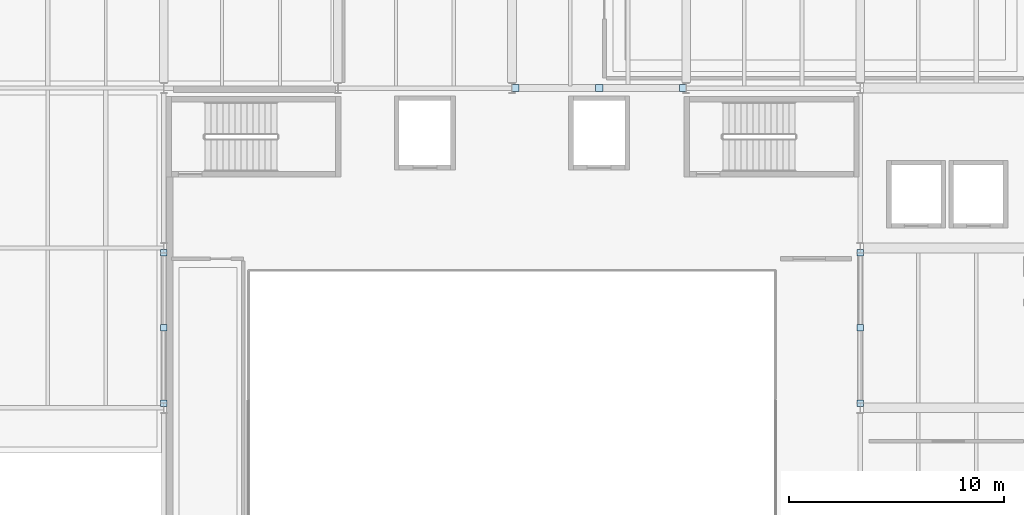
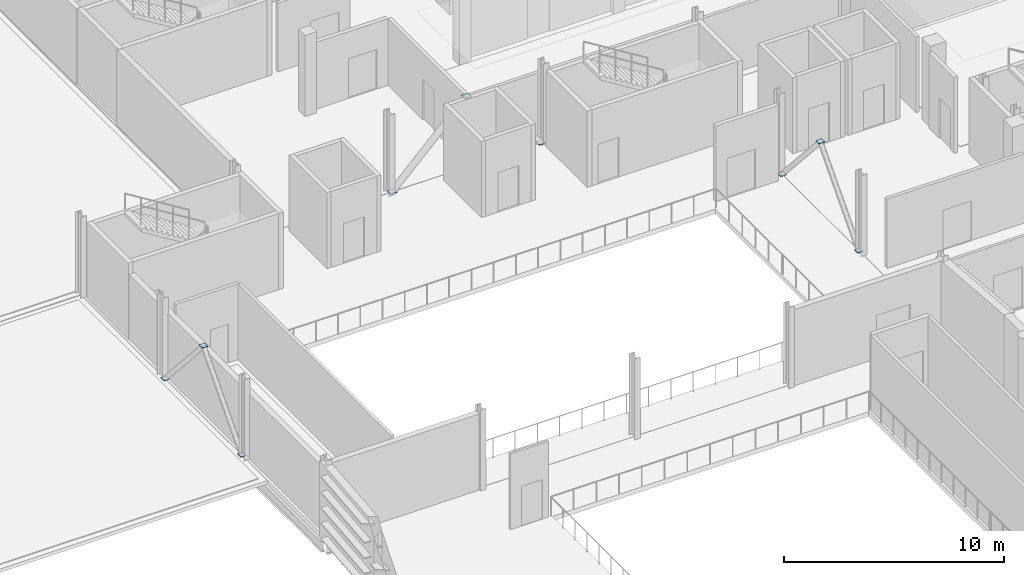
# One storey, part 55 of 73: 9 plates.
"""IFC4 building model written with IfcOpenShell, lengths in metres."""

from ifc_helpers import new_model, si_unit, direction, frame, origin, origin_2d, place, context, subcontext, project, spatial, rectangle, extrude, material, layer, layer_set, type_object, element, save


model = new_model("IFC4")

# Units and contexts
model_context = context("Model", 3, precision=1e-05, world=origin(), true_north=direction((0.0, 1.0)))
body_context = subcontext(model_context, "Body", "Model", "MODEL_VIEW")
ifc_project = project(units=[si_unit("LENGTHUNIT", "METRE"), si_unit("AREAUNIT", "SQUARE_METRE"), si_unit("VOLUMEUNIT", "CUBIC_METRE"), si_unit("PLANEANGLEUNIT", "RADIAN"), si_unit("MASSUNIT", "GRAM", prefix="KILO")], contexts=[model_context])

# Site, building, storey
site_placement = place(None, origin())
site = spatial("IfcSite", under=ifc_project, at=site_placement, CompositionType="ELEMENT")
building_placement = place(site_placement, origin())
building = spatial("IfcBuilding", under=site, at=building_placement, Name="Kaelora Sail Theatre", CompositionType="ELEMENT")
storey_placement = place(building_placement, frame((0.0, 0.0, 10.199951171875)))
storey = spatial("IfcBuildingStorey", under=building, at=storey_placement, Name="L02", CompositionType="ELEMENT", Elevation=10.199951171875)

# Plates
ifc_material = material(Name="Steel S355", Category="steel")
ifc_layer = layer(ifc_material, 0.035888671875)
ifc_layer_set = layer_set([ifc_layer], Name="Steel S355")
plate_type = type_object("IfcPlateType", Name="STR-PL-EP-36", PredefinedType="SHEET", material=ifc_layer_set)
for number, where, z_axis, x_axis, name in (
    (1, (25.800048828125, 68.67919921875, -0.009765625), (0.0, 0.0, 1.0), (1.0, 0.0, 0.0), "Fly Tower chevron brace L02 WM1 end cap plate A"),
    (2, (25.800048828125, 72.19091796875, 3.9189453125), (0.0, 0.0, 1.0), (1.0, 0.0, 0.0), "Fly Tower chevron brace L02 WM1 end cap plate B"),
    (3, (25.800048828125, 75.680908203125, -0.009765625), (0.0, 0.0, 1.0), (1.0, 0.0, 0.0), "Fly Tower chevron brace L02 WM2 end cap plate A"),
    (4, (58.199951171875, 68.67919921875, -0.009765625), (0.0, 0.0, 1.0), (1.0, 0.0, 0.0), "Fly Tower chevron brace L02 EM1 end cap plate A"),
    (5, (58.199951171875, 72.19091796875, 3.9189453125), (0.0, 0.0, 1.0), (1.0, 0.0, 0.0), "Fly Tower chevron brace L02 EM1 end cap plate B"),
    (6, (58.199951171875, 75.680908203125, -0.009765625), (0.0, 0.0, 1.0), (1.0, 0.0, 0.0), "Fly Tower chevron brace L02 EM2 end cap plate A"),
):
    element("IfcPlate", number, at=place(storey_placement, frame(where, z_axis=z_axis, x_axis=x_axis)), inside=storey, type_object=plate_type, Name=name, PredefinedType="SHEET", context=body_context, shape_type="SweptSolid", body=[
        extrude(rectangle(XDim=0.300048828125, YDim=0.300048828125, at=origin_2d()), origin(), (0.0, 0.0, 1.0), 0.035888671875),
    ])
for number, where, z_axis, x_axis, name in (
    (7, (42.148681640625, 83.340087890625, -0.00927734375), (0.0, 0.0, 1.0), (1.0, 0.0, 0.0), "Fly Tower north chevron brace L02 N3-1 end cap plate A"),
    (8, (46.0615234375, 83.340087890625, 3.91845703125), (0.0, 0.0, 1.0), (1.0, 0.0, 0.0), "Fly Tower north chevron brace L02 N3-1 end cap plate B"),
    (9, (49.951416015625, 83.340087890625, -0.00927734375), (0.0, 0.0, 1.0), (1.0, 0.0, 0.0), "Fly Tower north chevron brace L02 N3-2 end cap plate A"),
):
    element("IfcPlate", number, at=place(storey_placement, frame(where, z_axis=z_axis, x_axis=x_axis)), inside=storey, type_object=plate_type, Name=name, PredefinedType="SHEET", context=body_context, shape_type="SweptSolid", body=[
        extrude(rectangle(XDim=0.340087890625, YDim=0.340087890625, at=origin_2d()), origin(), (0.0, 0.0, 1.0), 0.035888671875),
    ])

save(model, "model.ifc")
